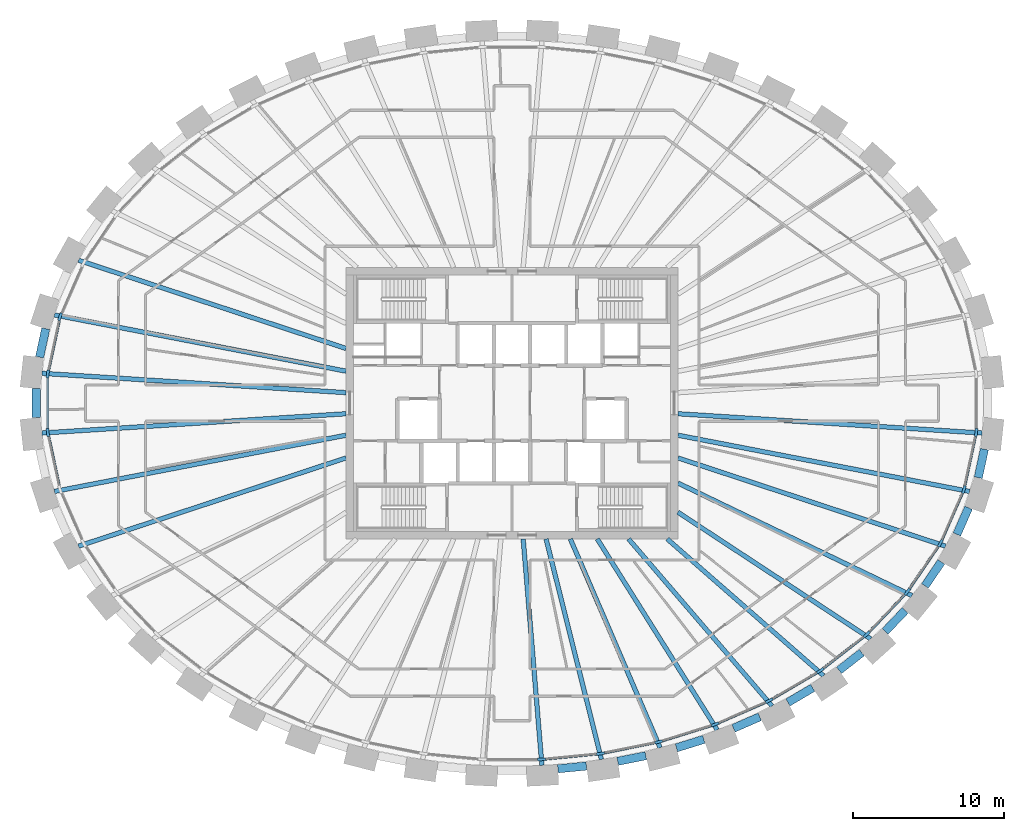
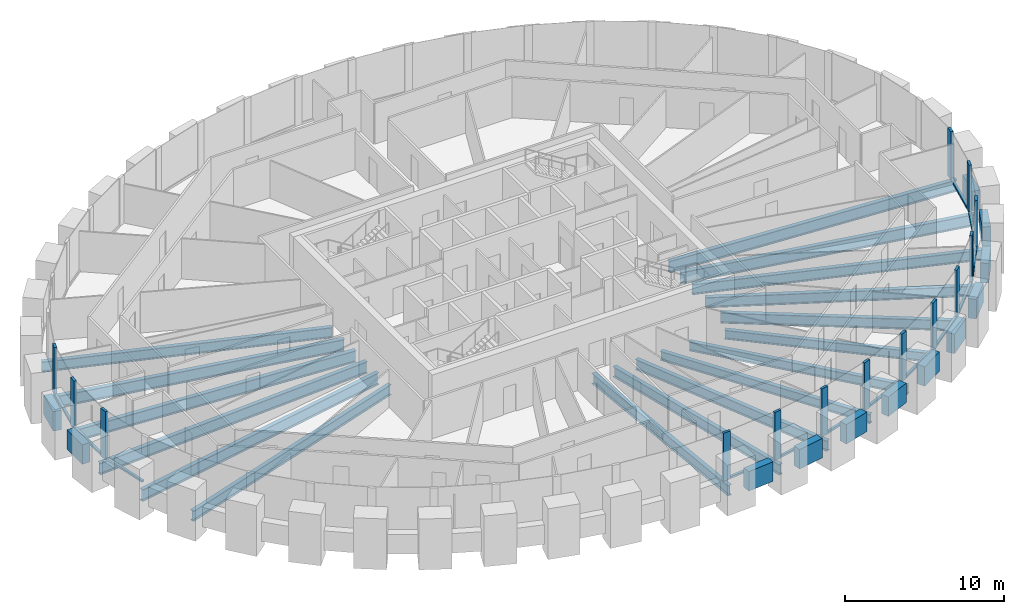
# One storey, part 2 of 12: 29 beams, 27 members, 1 element without a shape of its own.
"""IFC4 building model written with IfcOpenShell, lengths in metres."""

from ifc_helpers import new_model, si_unit, direction, frame, origin, origin_2d, place, context, subcontext, project, spatial, rectangle, i_section, extrude, source, transform, mapped, material, material_profile, profile_set, type_object, element, aggregate, save


model = new_model("IFC4")

# Units and contexts
model_context = context("Model", 3, precision=1e-05, world=origin(), true_north=direction((0.0, 1.0)))
body_context = subcontext(model_context, "Body", "Model", "MODEL_VIEW")
ifc_project = project(units=[si_unit("LENGTHUNIT", "METRE"), si_unit("AREAUNIT", "SQUARE_METRE"), si_unit("VOLUMEUNIT", "CUBIC_METRE"), si_unit("PLANEANGLEUNIT", "RADIAN"), si_unit("MASSUNIT", "GRAM", prefix="KILO")], contexts=[model_context])

# Site, building, storey
site_placement = place(None, origin())
site = spatial("IfcSite", under=ifc_project, at=site_placement, CompositionType="ELEMENT")
building_placement = place(site_placement, origin())
building = spatial("IfcBuilding", under=site, at=building_placement, Name="Embergate Tower", CompositionType="ELEMENT")
storey_placement = place(building_placement, frame((0.0, 0.0, 281.199951171875)))
storey = spatial("IfcBuildingStorey", under=building, at=storey_placement, Name="L65", CompositionType="ELEMENT", Elevation=281.199951171875)

# Beams
ifc_material_1 = material(Name="Concrete C60", Category="concrete")
ifc_material_profile_1 = material_profile(ifc_material_1, rectangle(XDim=0.550048828125, YDim=1.5, at=origin_2d()), Name="RC 550x1500")
ifc_profile_set_1 = profile_set([ifc_material_profile_1], Name="Concrete C60")
beam_type_1 = type_object("IfcBeamType", Name="Spandrel beam RC 550x1500 C60", PredefinedType="BEAM", material=ifc_profile_set_1)
shared_shape_1 = source(origin(), body_context, "Body", "SweptSolid", [
    extrude(rectangle(XDim=0.550048828125, YDim=1.5, at=origin_2d()), origin(), (0.0, 0.0, 1.0), 1.927978515625),
])
for number, where, z_axis, x_axis, name in (
    (1, (-30.9150390625, 4.93701171875, 0.0), (-0.210073860291, -0.97768551857, 0.0), (0.97768551857, -0.210073860291, 0.0), "SPN-L65-20"),
    (2, (30.9150390625, -4.93701171875, 0.0), (0.210073860291, 0.97768551857, 0.0), (-0.97768551857, 0.210073860291, 0.0), "SPN-L65-42"),
):
    element("IfcBeam", number, at=place(storey_placement, frame(where, z_axis=z_axis, x_axis=x_axis)), inside=storey, type_object=beam_type_1, Name=name, PredefinedType="BEAM", context=body_context, shape_type="MappedRepresentation", body=[
        mapped(shared_shape_1, transform((0.0, 0.0, 0.0))),
    ])
shared_shape_2 = source(origin(), body_context, "Body", "SweptSolid", [
    extrude(rectangle(XDim=0.550048828125, YDim=1.5, at=origin_2d()), origin(), (0.0, 0.0, 1.0), 1.924560546875),
])
beam_1_placement = place(storey_placement, frame((29.4951171875, -8.697021484375, 0.0), z_axis=(0.402156084764, 0.91557112421, 0.0), x_axis=(-0.91557112421, 0.402156084764, 0.0)))
element("IfcBeam", 3, at=beam_1_placement, inside=storey, type_object=beam_type_1, Name="SPN-L65-41", PredefinedType="BEAM", context=body_context, shape_type="MappedRepresentation", body=[
    mapped(shared_shape_2, transform((0.0, 0.0, 0.0))),
])
shared_shape_3 = source(origin(), body_context, "Body", "SweptSolid", [
    extrude(rectangle(XDim=0.550048828125, YDim=1.5, at=origin_2d()), origin(), (0.0, 0.0, 1.0), 1.91455078125),
])
beam_2_placement = place(storey_placement, frame((27.384033203125, -12.10791015625, 0.0), z_axis=(0.562473939822, 0.826815013785, 0.0), x_axis=(-0.826815013785, 0.562473939822, 0.0)))
element("IfcBeam", 4, at=beam_2_placement, inside=storey, type_object=beam_type_1, Name="SPN-L65-40", PredefinedType="BEAM", context=body_context, shape_type="MappedRepresentation", body=[
    mapped(shared_shape_3, transform((0.0, 0.0, 0.0))),
])
shared_shape_4 = source(origin(), body_context, "Body", "SweptSolid", [
    extrude(rectangle(XDim=0.550048828125, YDim=1.5, at=origin_2d()), origin(), (0.0, 0.0, 1.0), 1.913330078125),
])
beam_3_placement = place(storey_placement, frame((24.743896484375, -15.1259765625, 0.0), z_axis=(0.690454502374, 0.723375822206, 0.0), x_axis=(-0.723375822206, 0.690454502374, 0.0)))
element("IfcBeam", 5, at=beam_3_placement, inside=storey, type_object=beam_type_1, Name="SPN-L65-39", PredefinedType="BEAM", context=body_context, shape_type="MappedRepresentation", body=[
    mapped(shared_shape_4, transform((0.0, 0.0, 0.0))),
])
shared_shape_5 = source(origin(), body_context, "Body", "SweptSolid", [
    extrude(rectangle(XDim=0.550048828125, YDim=1.5, at=origin_2d()), origin(), (0.0, 0.0, 1.0), 1.907958984375),
])
beam_4_placement = place(storey_placement, frame((21.68408203125, -17.7099609375, 0.0), z_axis=(0.788241602778, 0.615365887623, 0.0), x_axis=(-0.615365887623, 0.788241602778, 0.0)))
element("IfcBeam", 6, at=beam_4_placement, inside=storey, type_object=beam_type_1, Name="SPN-L65-38", PredefinedType="BEAM", context=body_context, shape_type="MappedRepresentation", body=[
    mapped(shared_shape_5, transform((0.0, 0.0, 0.0))),
])
shared_shape_6 = source(origin(), body_context, "Body", "SweptSolid", [
    extrude(rectangle(XDim=0.550048828125, YDim=1.5, at=origin_2d()), origin(), (0.0, 0.0, 1.0), 1.90234375),
])
beam_5_placement = place(storey_placement, frame((18.2958984375, -19.837890625, 0.0), z_axis=(0.862145280572, 0.506661144343, 0.0), x_axis=(-0.506661144343, 0.862145280572, 0.0)))
element("IfcBeam", 7, at=beam_5_placement, inside=storey, type_object=beam_type_1, Name="SPN-L65-37", PredefinedType="BEAM", context=body_context, shape_type="MappedRepresentation", body=[
    mapped(shared_shape_6, transform((0.0, 0.0, 0.0))),
])
shared_shape_7 = source(origin(), body_context, "Body", "SweptSolid", [
    extrude(rectangle(XDim=0.550048828125, YDim=1.5, at=origin_2d()), origin(), (0.0, 0.0, 1.0), 1.89990234375),
])
beam_6_placement = place(storey_placement, frame((14.68408203125, -21.553955078125, 0.0), z_axis=(0.916289991501, 0.400515482192, 0.0), x_axis=(-0.400515482192, 0.916289991501, 0.0)))
element("IfcBeam", 8, at=beam_6_placement, inside=storey, type_object=beam_type_1, Name="SPN-L65-36", PredefinedType="BEAM", context=body_context, shape_type="MappedRepresentation", body=[
    mapped(shared_shape_7, transform((0.0, 0.0, 0.0))),
])
shared_shape_8 = source(origin(), body_context, "Body", "SweptSolid", [
    extrude(rectangle(XDim=0.550048828125, YDim=1.5, at=origin_2d()), origin(), (0.0, 0.0, 1.0), 1.898681640625),
])
beam_7_placement = place(storey_placement, frame((10.904052734375, -22.85205078125, 0.0), z_axis=(0.954868123024, 0.297030078667, 0.0), x_axis=(-0.297030078667, 0.954868123024, 0.0)))
element("IfcBeam", 9, at=beam_7_placement, inside=storey, type_object=beam_type_1, Name="SPN-L65-35", PredefinedType="BEAM", context=body_context, shape_type="MappedRepresentation", body=[
    mapped(shared_shape_8, transform((0.0, 0.0, 0.0))),
])
shared_shape_9 = source(origin(), body_context, "Body", "SweptSolid", [
    extrude(rectangle(XDim=0.550048828125, YDim=1.5, at=origin_2d()), origin(), (0.0, 0.0, 1.0), 1.895751953125),
])
beam_8_placement = place(storey_placement, frame((7.010009765625, -23.743896484375, 0.0), z_axis=(0.980575722075, 0.196140901592, 0.0), x_axis=(-0.196140901592, 0.980575722075, 0.0)))
element("IfcBeam", 10, at=beam_8_placement, inside=storey, type_object=beam_type_1, Name="SPN-L65-34", PredefinedType="BEAM", context=body_context, shape_type="MappedRepresentation", body=[
    mapped(shared_shape_9, transform((0.0, 0.0, 0.0))),
])
shared_shape_10 = source(origin(), body_context, "Body", "SweptSolid", [
    extrude(rectangle(XDim=0.550048828125, YDim=1.5, at=origin_2d()), origin(), (0.0, 0.0, 1.0), 1.896240234375),
])
beam_9_placement = place(storey_placement, frame((3.0458984375, -24.239990234375, 0.0), z_axis=(0.995176416472, 0.098101478571, 0.0), x_axis=(-0.098101478571, 0.995176416472, 0.0)))
element("IfcBeam", 11, at=beam_9_placement, inside=storey, type_object=beam_type_1, Name="SPN-L65-33", PredefinedType="BEAM", context=body_context, shape_type="MappedRepresentation", body=[
    mapped(shared_shape_10, transform((0.0, 0.0, 0.0))),
])
shared_shape_11 = source(origin(), body_context, "Body", "SweptSolid", [
    extrude(rectangle(XDim=0.550048828125, YDim=1.5, at=origin_2d()), origin(), (0.0, 0.0, 1.0), 1.92822265625),
])
beam_10_placement = place(storey_placement, frame((-31.5419921875, 0.964111328125, 0.0), z_axis=(0.0, -1.0, 0.0), x_axis=(1.0, 0.0, 0.0)))
element("IfcBeam", 12, at=beam_10_placement, inside=storey, type_object=beam_type_1, Name="SPN-L65-21", PredefinedType="BEAM", context=body_context, shape_type="MappedRepresentation", body=[
    mapped(shared_shape_11, transform((0.0, 0.0, 0.0))),
])
ifc_material_2 = material(Name="Steel Q355B", Category="steel")
ifc_material_profile_2 = material_profile(ifc_material_2, i_section(OverallWidth=0.300048828125, OverallDepth=0.89990234375, WebThickness=0.01611328125, FlangeThickness=0.028076171875, FilletRadius=0.028076171875, at=origin_2d()), Name="HN 900x300x16x28")
ifc_profile_set_2 = profile_set([ifc_material_profile_2], Name="Steel Q355 grade B")
beam_type_2 = type_object("IfcBeamType", Name="Radial girder HN 900x300x16x28", PredefinedType="BEAM", material=ifc_profile_set_2)
shared_shape_12 = source(origin(), body_context, "Body", "SweptSolid", [
    extrude(i_section(OverallWidth=0.300048828125, OverallDepth=0.89990234375, WebThickness=0.01611328125, FlangeThickness=0.028076171875, FilletRadius=0.028076171875, at=origin_2d()), origin(), (0.0, 0.0, 1.0), 20.20751953125),
])
for number, where, z_axis, x_axis, name in (
    (13, (-31.1669921875, 1.97998046875, -0.64990234375), (0.997988693818, -0.063392168375, 0.0), (0.063392168375, 0.997988693818, 0.0), "GIR-L65-21"),
    (14, (-31.1669921875, -1.97998046875, -0.64990234375), (0.997988693818, 0.063392168375, 0.0), (-0.063392168375, 0.997988693818, 0.0), "GIR-L65-22"),
    (15, (31.1669921875, -1.97998046875, -0.64990234375), (-0.997988693818, 0.063392168375, 0.0), (-0.063392168375, -0.997988693818, 0.0), "GIR-L65-43"),
):
    element("IfcBeam", number, at=place(storey_placement, frame(where, z_axis=z_axis, x_axis=x_axis)), inside=storey, type_object=beam_type_2, Name=name, PredefinedType="BEAM", context=body_context, shape_type="MappedRepresentation", body=[
        mapped(shared_shape_12, transform((0.0, 0.0, 0.0))),
    ])
shared_shape_13 = source(origin(), body_context, "Body", "SweptSolid", [
    extrude(i_section(OverallWidth=0.300048828125, OverallDepth=0.89990234375, WebThickness=0.01611328125, FlangeThickness=0.028076171875, FilletRadius=0.028076171875, at=origin_2d()), origin(), (0.0, 0.0, 1.0), 19.6904296875),
])
for number, where, z_axis, x_axis, name in (
    (16, (-30.333984375, 5.85205078125, -0.64990234375), (0.981894135389, -0.189430480358, 0.0), (0.189430480358, 0.981894135389, 0.0), "GIR-L65-20"),
    (17, (-30.333984375, -5.85205078125, -0.64990234375), (0.981894135389, 0.189430480358, 0.0), (-0.189430480358, 0.981894135389, 0.0), "GIR-L65-23"),
    (18, (30.333984375, -5.85205078125, -0.64990234375), (-0.981894135389, 0.189430480358, 0.0), (-0.189430480358, -0.981894135389, 0.0), "GIR-L65-42"),
):
    element("IfcBeam", number, at=place(storey_placement, frame(where, z_axis=z_axis, x_axis=x_axis)), inside=storey, type_object=beam_type_2, Name=name, PredefinedType="BEAM", context=body_context, shape_type="MappedRepresentation", body=[
        mapped(shared_shape_13, transform((0.0, 0.0, 0.0))),
    ])
ifc_material_profile_3 = material_profile(ifc_material_2, i_section(OverallWidth=0.300048828125, OverallDepth=0.800048828125, WebThickness=0.013916015625, FlangeThickness=0.02587890625, FilletRadius=0.028076171875, at=origin_2d()), Name="HN 800x300x14x26")
ifc_profile_set_3 = profile_set([ifc_material_profile_3], Name="Steel Q355 grade B")
beam_type_3 = type_object("IfcBeamType", Name="Radial girder HN 800x300x14x26", PredefinedType="BEAM", material=ifc_profile_set_3)
shared_shape_14 = source(origin(), body_context, "Body", "SweptSolid", [
    extrude(i_section(OverallWidth=0.300048828125, OverallDepth=0.800048828125, WebThickness=0.013916015625, FlangeThickness=0.02587890625, FilletRadius=0.028076171875, at=origin_2d()), origin(), (0.0, 0.0, 1.0), 18.681884765625),
])
for number, where, z_axis, x_axis, name in (
    (19, (-28.741943359375, 9.47900390625, -0.599853515625), (0.949688639477, -0.313195606689, 0.0), (0.313195606689, 0.949688639477, 0.0), "GIR-L65-19"),
    (20, (-28.741943359375, -9.47900390625, -0.599853515625), (0.949688639477, 0.313195606689, 0.0), (-0.313195606689, 0.949688639477, 0.0), "GIR-L65-24"),
    (21, (28.741943359375, -9.47900390625, -0.599853515625), (-0.949688639477, 0.313195606689, 0.0), (-0.313195606689, -0.949688639477, 0.0), "GIR-L65-41"),
):
    element("IfcBeam", number, at=place(storey_placement, frame(where, z_axis=z_axis, x_axis=x_axis)), inside=storey, type_object=beam_type_3, Name=name, PredefinedType="BEAM", context=body_context, shape_type="MappedRepresentation", body=[
        mapped(shared_shape_14, transform((0.0, 0.0, 0.0))),
    ])
shared_shape_15 = source(origin(), body_context, "Body", "SweptSolid", [
    extrude(i_section(OverallWidth=0.300048828125, OverallDepth=0.800048828125, WebThickness=0.013916015625, FlangeThickness=0.02587890625, FilletRadius=0.028076171875, at=origin_2d()), origin(), (0.0, 0.0, 1.0), 17.216552734375),
])
beam_11_placement = place(storey_placement, frame((26.514892578125, -12.7548828125, -0.599853515625), z_axis=(-0.90116604055, 0.433474067689, 0.0), x_axis=(-0.433474067689, -0.90116604055, 0.0)))
element("IfcBeam", 22, at=beam_11_placement, inside=storey, type_object=beam_type_3, Name="GIR-L65-40", PredefinedType="BEAM", context=body_context, shape_type="MappedRepresentation", body=[
    mapped(shared_shape_15, transform((0.0, 0.0, 0.0))),
])
shared_shape_16 = source(origin(), body_context, "Body", "SweptSolid", [
    extrude(i_section(OverallWidth=0.300048828125, OverallDepth=0.800048828125, WebThickness=0.013916015625, FlangeThickness=0.02587890625, FilletRadius=0.028076171875, at=origin_2d()), origin(), (0.0, 0.0, 1.0), 15.29052734375),
])
beam_12_placement = place(storey_placement, frame((23.779052734375, -15.623046875, -0.599853515625), z_axis=(-0.835755516173, 0.549101736645, 0.0), x_axis=(-0.549101736645, -0.835755516173, 0.0)))
element("IfcBeam", 23, at=beam_12_placement, inside=storey, type_object=beam_type_3, Name="GIR-L65-39", PredefinedType="BEAM", context=body_context, shape_type="MappedRepresentation", body=[
    mapped(shared_shape_16, transform((0.0, 0.0, 0.0))),
])
ifc_material_profile_4 = material_profile(ifc_material_2, i_section(OverallWidth=0.300048828125, OverallDepth=0.699951171875, WebThickness=0.012939453125, FlangeThickness=0.02392578125, FilletRadius=0.01806640625, at=origin_2d()), Name="HN 700x300x13x24")
ifc_profile_set_4 = profile_set([ifc_material_profile_4], Name="Steel Q355 grade B")
beam_type_4 = type_object("IfcBeamType", Name="Radial girder HN 700x300x13x24", PredefinedType="BEAM", material=ifc_profile_set_4)
shared_shape_17 = source(origin(), body_context, "Body", "SweptSolid", [
    extrude(i_section(OverallWidth=0.300048828125, OverallDepth=0.699951171875, WebThickness=0.012939453125, FlangeThickness=0.02392578125, FilletRadius=0.01806640625, at=origin_2d()), origin(), (0.0, 0.0, 1.0), 13.767822265625),
])
beam_13_placement = place(storey_placement, frame((20.655029296875, -18.06298828125, -0.550048828125), z_axis=(-0.752775487565, 0.658277346809, 0.0), x_axis=(-0.658277346809, -0.752775487565, 0.0)))
element("IfcBeam", 24, at=beam_13_placement, inside=storey, type_object=beam_type_4, Name="GIR-L65-38", PredefinedType="BEAM", context=body_context, shape_type="MappedRepresentation", body=[
    mapped(shared_shape_17, transform((0.0, 0.0, 0.0))),
])
shared_shape_18 = source(origin(), body_context, "Body", "SweptSolid", [
    extrude(i_section(OverallWidth=0.300048828125, OverallDepth=0.699951171875, WebThickness=0.012939453125, FlangeThickness=0.02392578125, FilletRadius=0.01806640625, at=origin_2d()), origin(), (0.0, 0.0, 1.0), 14.59423828125),
])
beam_14_placement = place(storey_placement, frame((17.237060546875, -20.072021484375, -0.550048828125), z_axis=(-0.651492316214, 0.758655232575, 0.0), x_axis=(-0.758655232575, -0.651492316214, 0.0)))
element("IfcBeam", 25, at=beam_14_placement, inside=storey, type_object=beam_type_4, Name="GIR-L65-37", PredefinedType="BEAM", context=body_context, shape_type="MappedRepresentation", body=[
    mapped(shared_shape_18, transform((0.0, 0.0, 0.0))),
])
shared_shape_19 = source(origin(), body_context, "Body", "SweptSolid", [
    extrude(i_section(OverallWidth=0.300048828125, OverallDepth=0.699951171875, WebThickness=0.012939453125, FlangeThickness=0.02392578125, FilletRadius=0.01806640625, at=origin_2d()), origin(), (0.0, 0.0, 1.0), 14.94970703125),
])
beam_15_placement = place(storey_placement, frame((13.60400390625, -21.659912109375, -0.550048828125), z_axis=(-0.531848758453, 0.846839357926, 0.0), x_axis=(-0.846839357926, -0.531848758453, 0.0)))
element("IfcBeam", 26, at=beam_15_placement, inside=storey, type_object=beam_type_4, Name="GIR-L65-36", PredefinedType="BEAM", context=body_context, shape_type="MappedRepresentation", body=[
    mapped(shared_shape_19, transform((0.0, 0.0, 0.0))),
])
shared_shape_20 = source(origin(), body_context, "Body", "SweptSolid", [
    extrude(i_section(OverallWidth=0.300048828125, OverallDepth=0.800048828125, WebThickness=0.013916015625, FlangeThickness=0.02587890625, FilletRadius=0.028076171875, at=origin_2d()), origin(), (0.0, 0.0, 1.0), 15.064453125),
])
beam_16_placement = place(storey_placement, frame((9.818115234375, -22.840087890625, -0.599853515625), z_axis=(-0.394914636063, 0.918717818605, 0.0), x_axis=(-0.918717818605, -0.394914636063, 0.0)))
element("IfcBeam", 27, at=beam_16_placement, inside=storey, type_object=beam_type_3, Name="GIR-L65-35", PredefinedType="BEAM", context=body_context, shape_type="MappedRepresentation", body=[
    mapped(shared_shape_20, transform((0.0, 0.0, 0.0))),
])
shared_shape_21 = source(origin(), body_context, "Body", "SweptSolid", [
    extrude(i_section(OverallWidth=0.300048828125, OverallDepth=0.800048828125, WebThickness=0.013916015625, FlangeThickness=0.02587890625, FilletRadius=0.028076171875, at=origin_2d()), origin(), (0.0, 0.0, 1.0), 15.072509765625),
])
beam_17_placement = place(storey_placement, frame((5.929931640625, -23.618896484375, -0.599853515625), z_axis=(-0.243484506306, 0.969904786662, 0.0), x_axis=(-0.969904786662, -0.243484506306, 0.0)))
element("IfcBeam", 28, at=beam_17_placement, inside=storey, type_object=beam_type_3, Name="GIR-L65-34", PredefinedType="BEAM", context=body_context, shape_type="MappedRepresentation", body=[
    mapped(shared_shape_21, transform((0.0, 0.0, 0.0))),
])
shared_shape_22 = source(origin(), body_context, "Body", "SweptSolid", [
    extrude(i_section(OverallWidth=0.300048828125, OverallDepth=0.800048828125, WebThickness=0.013916015625, FlangeThickness=0.02587890625, FilletRadius=0.028076171875, at=origin_2d()), origin(), (0.0, 0.0, 1.0), 15.05908203125),
])
beam_18_placement = place(storey_placement, frame((1.98291015625, -24.008056640625, -0.599853515625), z_axis=(-0.082341072881, 0.996604208157, 0.0), x_axis=(-0.996604208157, -0.082341072881, 0.0)))
element("IfcBeam", 29, at=beam_18_placement, inside=storey, type_object=beam_type_3, Name="GIR-L65-33", PredefinedType="BEAM", context=body_context, shape_type="MappedRepresentation", body=[
    mapped(shared_shape_22, transform((0.0, 0.0, 0.0))),
])

# Curtain wall, members
ifc_material_3 = material(Name="Aluminium and glass", Category="aluminium")
curtain_wall_type = type_object("IfcCurtainWallType", Name="Recessed office glazing", PredefinedType="NOTDEFINED", material=ifc_material_3)
curtain_wall_placement = place(storey_placement, origin())
curtain_wall = element("IfcCurtainWall", 30, at=curtain_wall_placement, inside=storey, type_object=curtain_wall_type, Name="Recessed office glazing ring", ObjectType="RECESSED OFFICE GLAZING", PredefinedType="USERDEFINED")
ifc_material_4 = material(Name="Aluminium, thermally broken", Category="aluminium")
ifc_material_profile_5 = material_profile(ifc_material_4, rectangle(XDim=0.179931640625, YDim=0.52001953125, at=origin_2d()), Name="AL 520x180")
ifc_profile_set_5 = profile_set([ifc_material_profile_5], Name="Aluminium, thermally broken")
member_type_1 = type_object("IfcMemberType", Name="Office mullion", PredefinedType="MULLION", material=ifc_profile_set_5)
shared_shape_23 = source(origin(), body_context, "Body", "SweptSolid", [
    extrude(rectangle(XDim=0.179931640625, YDim=0.52001953125, at=origin_2d()), origin(), (0.0, 0.0, 1.0), 3.699951171875),
])
member_1_placement = place(storey_placement, frame((-29.962890625, 5.73046875, 0.0), z_axis=(0.0, 0.0, 1.0), x_axis=(0.951492965233, -0.307670500881, 0.0)))
member_1 = element("IfcMember", 31, at=member_1_placement, type_object=member_type_1, Name="CW mullion 21", PredefinedType="MULLION", context=body_context, shape_type="MappedRepresentation", body=[
    mapped(shared_shape_23, transform((0.0, 0.0, 0.0))),
])
member_2_placement = place(storey_placement, frame((-30.779052734375, 1.938232421875, 0.0), z_axis=(0.0, 0.0, 1.0), x_axis=(0.994384215926, -0.105830199459, 0.0)))
member_2 = element("IfcMember", 32, at=member_2_placement, type_object=member_type_1, Name="CW mullion 22", PredefinedType="MULLION", context=body_context, shape_type="MappedRepresentation", body=[
    mapped(shared_shape_23, transform((0.0, 0.0, 0.0))),
])
member_3_placement = place(storey_placement, frame((-30.779052734375, -1.938232421875, 0.0), z_axis=(0.0, 0.0, 1.0), x_axis=(0.994384215926, 0.105830199459, 0.0)))
member_3 = element("IfcMember", 33, at=member_3_placement, type_object=member_type_1, Name="CW mullion 23", PredefinedType="MULLION", context=body_context, shape_type="MappedRepresentation", body=[
    mapped(shared_shape_23, transform((0.0, 0.0, 0.0))),
])
member_4_placement = place(storey_placement, frame((1.9638671875, -23.6181640625, 0.0), z_axis=(0.0, 0.0, 1.0), x_axis=(-0.048970053385, 0.998800247232, 0.0)))
member_4 = element("IfcMember", 34, at=member_4_placement, type_object=member_type_1, Name="CW mullion 34", PredefinedType="MULLION", context=body_context, shape_type="MappedRepresentation", body=[
    mapped(shared_shape_23, transform((0.0, 0.0, 0.0))),
])
member_5_placement = place(storey_placement, frame((5.872314453125, -23.23388671875, 0.0), z_axis=(0.0, 0.0, 1.0), x_axis=(-0.147408930294, 0.989075632735, 0.0)))
member_5 = element("IfcMember", 35, at=member_5_placement, type_object=member_type_1, Name="CW mullion 35", PredefinedType="MULLION", context=body_context, shape_type="MappedRepresentation", body=[
    mapped(shared_shape_23, transform((0.0, 0.0, 0.0))),
])
member_6_placement = place(storey_placement, frame((9.7216796875, -22.4619140625, 0.0), z_axis=(0.0, 0.0, 1.0), x_axis=(-0.247308499144, 0.96893679167, 0.0)))
member_6 = element("IfcMember", 36, at=member_6_placement, type_object=member_type_1, Name="CW mullion 36", PredefinedType="MULLION", context=body_context, shape_type="MappedRepresentation", body=[
    mapped(shared_shape_23, transform((0.0, 0.0, 0.0))),
])
member_7_placement = place(storey_placement, frame((13.468017578125, -21.295166015625, 0.0), z_axis=(0.0, 0.0, 1.0), x_axis=(-0.349497777064, 0.936937193107, 0.0)))
member_7 = element("IfcMember", 37, at=member_7_placement, type_object=member_type_1, Name="CW mullion 37", PredefinedType="MULLION", context=body_context, shape_type="MappedRepresentation", body=[
    mapped(shared_shape_23, transform((0.0, 0.0, 0.0))),
])
member_8_placement = place(storey_placement, frame((17.06005859375, -19.724365234375, 0.0), z_axis=(0.0, 0.0, 1.0), x_axis=(-0.454503607328, 0.89074489666, 0.0)))
member_8 = element("IfcMember", 38, at=member_8_placement, type_object=member_type_1, Name="CW mullion 38", PredefinedType="MULLION", context=body_context, shape_type="MappedRepresentation", body=[
    mapped(shared_shape_23, transform((0.0, 0.0, 0.0))),
])
member_9_placement = place(storey_placement, frame((20.43603515625, -17.73974609375, 0.0), z_axis=(0.0, 0.0, 1.0), x_axis=(-0.562207514921, 0.82699619719, 0.0)))
member_9 = element("IfcMember", 39, at=member_9_placement, type_object=member_type_1, Name="CW mullion 39", PredefinedType="MULLION", context=body_context, shape_type="MappedRepresentation", body=[
    mapped(shared_shape_23, transform((0.0, 0.0, 0.0))),
])
member_10_placement = place(storey_placement, frame((23.5185546875, -15.333740234375, 0.0), z_axis=(0.0, 0.0, 1.0), x_axis=(-0.671216184057, 0.741261650337, 0.0)))
member_10 = element("IfcMember", 40, at=member_10_placement, type_object=member_type_1, Name="CW mullion 40", PredefinedType="MULLION", context=body_context, shape_type="MappedRepresentation", body=[
    mapped(shared_shape_23, transform((0.0, 0.0, 0.0))),
])
member_11_placement = place(storey_placement, frame((26.212158203125, -12.509521484375, 0.0), z_axis=(0.0, 0.0, 1.0), x_axis=(-0.777861596203, 0.628435626897, 0.0)))
member_11 = element("IfcMember", 41, at=member_11_placement, type_object=member_type_1, Name="CW mullion 41", PredefinedType="MULLION", context=body_context, shape_type="MappedRepresentation", body=[
    mapped(shared_shape_23, transform((0.0, 0.0, 0.0))),
])
member_12_placement = place(storey_placement, frame((28.402099609375, -9.2890625, 0.0), z_axis=(0.0, 0.0, 1.0), x_axis=(-0.874992601244, 0.484136290489, 0.0)))
member_12 = element("IfcMember", 42, at=member_12_placement, type_object=member_type_1, Name="CW mullion 42", PredefinedType="MULLION", context=body_context, shape_type="MappedRepresentation", body=[
    mapped(shared_shape_23, transform((0.0, 0.0, 0.0))),
])
member_13_placement = place(storey_placement, frame((29.962890625, -5.73046875, 0.0), z_axis=(0.0, 0.0, 1.0), x_axis=(-0.951492965233, 0.307670500881, 0.0)))
member_13 = element("IfcMember", 43, at=member_13_placement, type_object=member_type_1, Name="CW mullion 43", PredefinedType="MULLION", context=body_context, shape_type="MappedRepresentation", body=[
    mapped(shared_shape_23, transform((0.0, 0.0, 0.0))),
])
member_14_placement = place(storey_placement, frame((30.779052734375, -1.938232421875, 0.0), z_axis=(0.0, 0.0, 1.0), x_axis=(-0.994384215926, 0.105830199459, 0.0)))
member_14 = element("IfcMember", 44, at=member_14_placement, type_object=member_type_1, Name="CW mullion 44", PredefinedType="MULLION", context=body_context, shape_type="MappedRepresentation", body=[
    mapped(shared_shape_23, transform((0.0, 0.0, 0.0))),
])
ifc_material_profile_6 = material_profile(ifc_material_4, rectangle(XDim=0.179931640625, YDim=0.14990234375, at=origin_2d()), Name="AL 150x180")
ifc_profile_set_6 = profile_set([ifc_material_profile_6], Name="Aluminium, thermally broken")
member_type_2 = type_object("IfcMemberType", Name="Office sill transom", PredefinedType="USERDEFINED", material=ifc_profile_set_6)
shared_shape_24 = source(origin(), body_context, "Body", "SweptSolid", [
    extrude(rectangle(XDim=0.179931640625, YDim=0.14990234375, at=origin_2d()), origin(), (0.0, 0.0, 1.0), 3.359130859375),
])
member_15_placement = place(storey_placement, frame((-30.017578125, 5.476318359375, 0.074951171875), z_axis=(-0.210407541396, -0.977613761423, 0.0), x_axis=(0.977613761423, -0.210407541396, 0.0)))
member_15 = element("IfcMember", 45, at=member_15_placement, type_object=member_type_2, Name="CW transom 21.1", ObjectType="TRANSOM", PredefinedType="USERDEFINED", context=body_context, shape_type="MappedRepresentation", body=[
    mapped(shared_shape_24, transform((0.0, 0.0, 0.0))),
])
member_16_placement = place(storey_placement, frame((-30.724365234375, -2.1923828125, 0.074951171875), z_axis=(0.210407541396, -0.977613761423, 0.0), x_axis=(0.977613761423, 0.210407541396, 0.0)))
member_16 = element("IfcMember", 46, at=member_16_placement, type_object=member_type_2, Name="CW transom 23.1", ObjectType="TRANSOM", PredefinedType="USERDEFINED", context=body_context, shape_type="MappedRepresentation", body=[
    mapped(shared_shape_24, transform((0.0, 0.0, 0.0))),
])
member_17_placement = place(storey_placement, frame((30.017578125, -5.476318359375, 0.074951171875), z_axis=(0.210407541396, 0.977613761423, 0.0), x_axis=(-0.977613761423, 0.210407541396, 0.0)))
member_17 = element("IfcMember", 47, at=member_17_placement, type_object=member_type_2, Name="CW transom 43.1", ObjectType="TRANSOM", PredefinedType="USERDEFINED", context=body_context, shape_type="MappedRepresentation", body=[
    mapped(shared_shape_24, transform((0.0, 0.0, 0.0))),
])
shared_shape_25 = source(origin(), body_context, "Body", "SweptSolid", [
    extrude(rectangle(XDim=0.179931640625, YDim=0.14990234375, at=origin_2d()), origin(), (0.0, 0.0, 1.0), 3.365966796875),
])
member_18_placement = place(storey_placement, frame((28.506591796875, -9.051025390625, 0.074951171875), z_axis=(0.401617738642, 0.91580739897, 0.0), x_axis=(-0.91580739897, 0.401617738642, 0.0)))
member_18 = element("IfcMember", 48, at=member_18_placement, type_object=member_type_2, Name="CW transom 42.1", ObjectType="TRANSOM", PredefinedType="USERDEFINED", context=body_context, shape_type="MappedRepresentation", body=[
    mapped(shared_shape_25, transform((0.0, 0.0, 0.0))),
])
shared_shape_26 = source(origin(), body_context, "Body", "SweptSolid", [
    extrude(rectangle(XDim=0.179931640625, YDim=0.14990234375, at=origin_2d()), origin(), (0.0, 0.0, 1.0), 3.37451171875),
])
member_19_placement = place(storey_placement, frame((26.3583984375, -12.29443359375, 0.074951171875), z_axis=(0.562373345437, 0.826883438183, 0.0), x_axis=(-0.826883438183, 0.562373345437, 0.0)))
member_19 = element("IfcMember", 49, at=member_19_placement, type_object=member_type_2, Name="CW transom 41.1", ObjectType="TRANSOM", PredefinedType="USERDEFINED", context=body_context, shape_type="MappedRepresentation", body=[
    mapped(shared_shape_26, transform((0.0, 0.0, 0.0))),
])
shared_shape_27 = source(origin(), body_context, "Body", "SweptSolid", [
    extrude(rectangle(XDim=0.179931640625, YDim=0.14990234375, at=origin_2d()), origin(), (0.0, 0.0, 1.0), 3.383056640625),
])
member_20_placement = place(storey_placement, frame((23.697998046875, -15.145751953125, 0.074951171875), z_axis=(0.690128955737, 0.723686413064, 0.0), x_axis=(-0.723686413064, 0.690128955737, 0.0)))
member_20 = element("IfcMember", 50, at=member_20_placement, type_object=member_type_2, Name="CW transom 40.1", ObjectType="TRANSOM", PredefinedType="USERDEFINED", context=body_context, shape_type="MappedRepresentation", body=[
    mapped(shared_shape_27, transform((0.0, 0.0, 0.0))),
])
shared_shape_28 = source(origin(), body_context, "Body", "SweptSolid", [
    extrude(rectangle(XDim=0.179931640625, YDim=0.14990234375, at=origin_2d()), origin(), (0.0, 0.0, 1.0), 3.39013671875),
])
member_21_placement = place(storey_placement, frame((20.64111328125, -17.57958984375, 0.074951171875), z_axis=(0.788350711598, 0.61522610114, 0.0), x_axis=(-0.61522610114, 0.788350711598, 0.0)))
member_21 = element("IfcMember", 51, at=member_21_placement, type_object=member_type_2, Name="CW transom 39.1", ObjectType="TRANSOM", PredefinedType="USERDEFINED", context=body_context, shape_type="MappedRepresentation", body=[
    mapped(shared_shape_28, transform((0.0, 0.0, 0.0))),
])
shared_shape_29 = source(origin(), body_context, "Body", "SweptSolid", [
    extrude(rectangle(XDim=0.179931640625, YDim=0.14990234375, at=origin_2d()), origin(), (0.0, 0.0, 1.0), 3.396240234375),
])
member_22_placement = place(storey_placement, frame((17.2841796875, -19.5927734375, 0.074951171875), z_axis=(0.86206354594, 0.50680020004, 0.0), x_axis=(-0.50680020004, 0.86206354594, 0.0)))
member_22 = element("IfcMember", 52, at=member_22_placement, type_object=member_type_2, Name="CW transom 38.1", ObjectType="TRANSOM", PredefinedType="USERDEFINED", context=body_context, shape_type="MappedRepresentation", body=[
    mapped(shared_shape_29, transform((0.0, 0.0, 0.0))),
])
shared_shape_30 = source(origin(), body_context, "Body", "SweptSolid", [
    extrude(rectangle(XDim=0.179931640625, YDim=0.14990234375, at=origin_2d()), origin(), (0.0, 0.0, 1.0), 3.400634765625),
])
member_23_placement = place(storey_placement, frame((13.706298828125, -21.19091796875, 0.074951171875), z_axis=(0.916246290904, 0.400615444542, 0.0), x_axis=(-0.400615444542, 0.916246290904, 0.0)))
member_23 = element("IfcMember", 53, at=member_23_placement, type_object=member_type_2, Name="CW transom 37.1", ObjectType="TRANSOM", PredefinedType="USERDEFINED", context=body_context, shape_type="MappedRepresentation", body=[
    mapped(shared_shape_30, transform((0.0, 0.0, 0.0))),
])
shared_shape_31 = source(origin(), body_context, "Body", "SweptSolid", [
    extrude(rectangle(XDim=0.179931640625, YDim=0.14990234375, at=origin_2d()), origin(), (0.0, 0.0, 1.0), 3.40380859375),
])
member_24_placement = place(storey_placement, frame((9.9697265625, -22.384521484375, 0.074951171875), z_axis=(0.954785768132, 0.297294697183, 0.0), x_axis=(-0.297294697183, 0.954785768132, 0.0)))
member_24 = element("IfcMember", 54, at=member_24_placement, type_object=member_type_2, Name="CW transom 36.1", ObjectType="TRANSOM", PredefinedType="USERDEFINED", context=body_context, shape_type="MappedRepresentation", body=[
    mapped(shared_shape_31, transform((0.0, 0.0, 0.0))),
])
shared_shape_32 = source(origin(), body_context, "Body", "SweptSolid", [
    extrude(rectangle(XDim=0.179931640625, YDim=0.14990234375, at=origin_2d()), origin(), (0.0, 0.0, 1.0), 3.406005859375),
])
member_25_placement = place(storey_placement, frame((6.127197265625, -23.1826171875, 0.074951171875), z_axis=(0.980481303877, 0.196612341292, 0.0), x_axis=(-0.196612341292, 0.980481303877, 0.0)))
member_25 = element("IfcMember", 55, at=member_25_placement, type_object=member_type_2, Name="CW transom 35.1", ObjectType="TRANSOM", PredefinedType="USERDEFINED", context=body_context, shape_type="MappedRepresentation", body=[
    mapped(shared_shape_32, transform((0.0, 0.0, 0.0))),
])
shared_shape_33 = source(origin(), body_context, "Body", "SweptSolid", [
    extrude(rectangle(XDim=0.179931640625, YDim=0.14990234375, at=origin_2d()), origin(), (0.0, 0.0, 1.0), 3.4072265625),
])
member_26_placement = place(storey_placement, frame((2.22265625, -23.592529296875, 0.074951171875), z_axis=(0.995205303523, 0.097807994766, 0.0), x_axis=(-0.097807994766, 0.995205303523, 0.0)))
member_26 = element("IfcMember", 56, at=member_26_placement, type_object=member_type_2, Name="CW transom 34.1", ObjectType="TRANSOM", PredefinedType="USERDEFINED", context=body_context, shape_type="MappedRepresentation", body=[
    mapped(shared_shape_33, transform((0.0, 0.0, 0.0))),
])
shared_shape_34 = source(origin(), body_context, "Body", "SweptSolid", [
    extrude(rectangle(XDim=0.179931640625, YDim=0.14990234375, at=origin_2d()), origin(), (0.0, 0.0, 1.0), 3.3564453125),
])
member_27_placement = place(storey_placement, frame((-30.779052734375, 1.67822265625, 0.074951171875), z_axis=(0.0, -1.0, 0.0), x_axis=(1.0, 0.0, 0.0)))
member_27 = element("IfcMember", 57, at=member_27_placement, type_object=member_type_2, Name="CW transom 22.1", ObjectType="TRANSOM", PredefinedType="USERDEFINED", context=body_context, shape_type="MappedRepresentation", body=[
    mapped(shared_shape_34, transform((0.0, 0.0, 0.0))),
])
aggregate(curtain_wall, [member_1, member_2, member_3, member_4, member_5, member_6, member_7, member_8, member_9, member_10, member_11, member_12, member_13, member_14, member_15, member_27, member_16, member_26, member_25, member_24, member_23, member_22, member_21, member_20, member_19, member_18, member_17])

save(model, "model.ifc")
